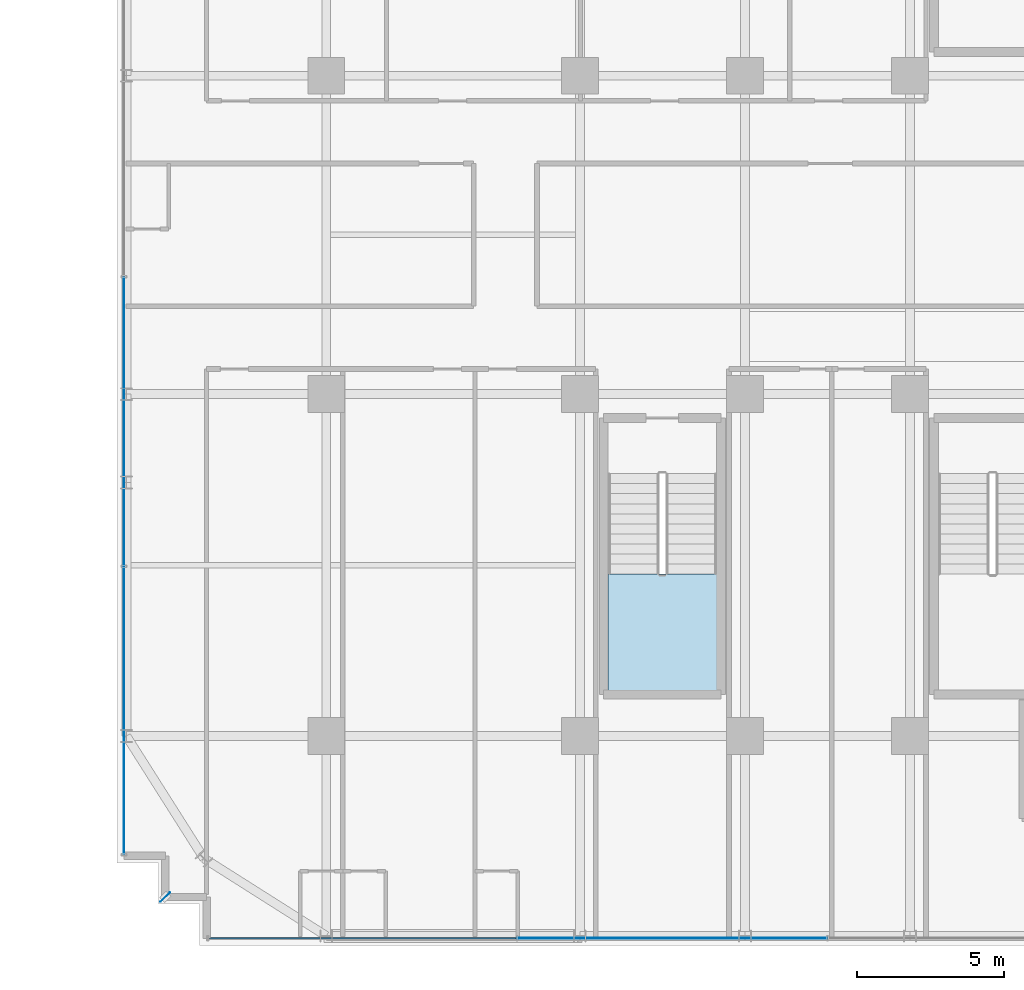
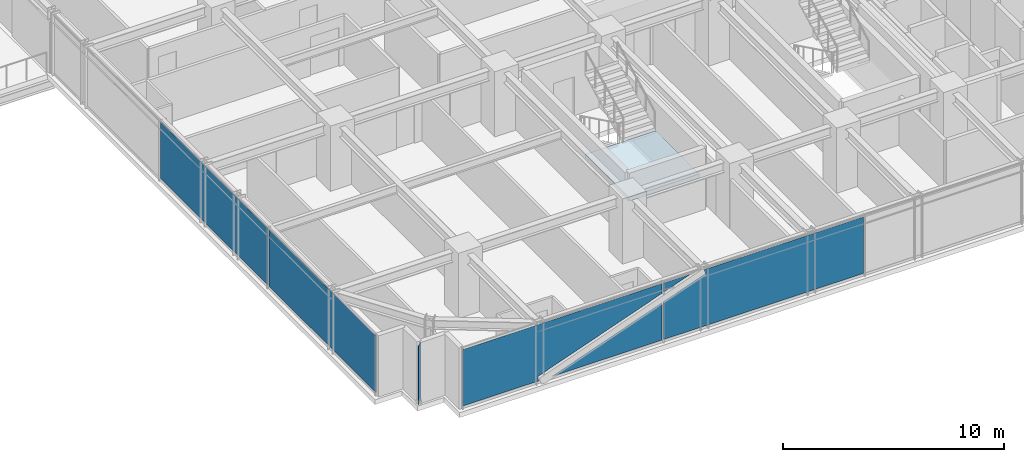
# One storey, part 26 of 39: 5 plates, 1 slab, 3 elements without a shape of their own.
"""IFC4 building model written with IfcOpenShell, lengths in metres."""

from ifc_helpers import new_model, si_unit, direction, frame, origin, origin_2d, place, context, subcontext, project, spatial, polyline, rectangle, outline, extrude, source, transform, mapped, material, layer, layer_set, type_object, element, aggregate, save


model = new_model("IFC4")

# Units and contexts
model_context = context("Model", 3, precision=1e-05, world=origin(), true_north=direction((0.0, 1.0)))
body_context = subcontext(model_context, "Body", "Model", "MODEL_VIEW")
ifc_project = project(units=[si_unit("LENGTHUNIT", "METRE"), si_unit("AREAUNIT", "SQUARE_METRE"), si_unit("VOLUMEUNIT", "CUBIC_METRE"), si_unit("PLANEANGLEUNIT", "RADIAN"), si_unit("MASSUNIT", "GRAM", prefix="KILO")], contexts=[model_context])

# Site, building, storey
site_placement = place(None, origin())
site = spatial("IfcSite", under=ifc_project, at=site_placement, CompositionType="ELEMENT")
building_placement = place(site_placement, origin())
building = spatial("IfcBuilding", under=site, at=building_placement, Name="Nahalor Promenade Grand Hotel", CompositionType="ELEMENT")
storey_placement = place(building_placement, frame((0.0, 0.0, 135.75)))
storey = spatial("IfcBuildingStorey", under=building, at=storey_placement, Name="L34", CompositionType="ELEMENT", Elevation=135.75)

# Curtain wall, plates
ifc_material_1 = material(Name="Anodised Bronze Aluminium EN AW-6063 T6", Category="aluminium")
curtain_wall_type = type_object("IfcCurtainWallType", Name="CW2 Typical Hotel Flush Bronze Unitised Curtain Wall", PredefinedType="USERDEFINED", material=ifc_material_1)
curtain_wall_1_placement = place(storey_placement, origin())
curtain_wall_1 = element("IfcCurtainWall", 1, at=curtain_wall_1_placement, inside=storey, type_object=curtain_wall_type, Name="L34 Curtain Wall CW-L34-S-1", ObjectType="UNITISED_CURTAIN_WALL", PredefinedType="USERDEFINED")
ifc_material_2 = material(Name="Low-E Laminated Solar Glass", Category="glass")
ifc_layer_1 = layer(ifc_material_2, 0.028076171875)
ifc_layer_set_1 = layer_set([ifc_layer_1], Name="Low-E Laminated Solar Glass")
plate_type_1 = type_object("IfcPlateType", Name="CWP2 Bronze Low-E Vision IGU 28mm", PredefinedType="CURTAIN_PANEL", material=ifc_layer_set_1)
plate_1_placement = place(storey_placement, frame((-15.77880859375, -23.860107421875, 0.1298828125), z_axis=(0.0, 0.0, 1.0), x_axis=(1.0, 0.0, 0.0)))
plate_1 = element("IfcPlate", 2, at=plate_1_placement, type_object=plate_type_1, Name="CW-L34-S-1 Glazing Panel 0-0", PredefinedType="CURTAIN_PANEL", context=body_context, shape_type="SweptSolid", body=[
    extrude(outline(polyline([(-5.21630859375, 3.1201171875), (-5.21630859375, 0.0), (-1.24072265625, 0.0), (-1.3291015625, 0.246826171875), (5.21630859375, 2.591064453125), (5.21630859375, 3.1201171875), (-5.21630859375, 3.1201171875)])), frame((0.0, 0.01416015625, 0.0), z_axis=(0.0, -1.0, 0.0), x_axis=(1.0, 0.0, 0.0)), (0.0, 0.0, 1.0), 0.028076171875),
    extrude(outline(polyline([(-0.53564453125, 0.0), (5.21630859375, 0.0), (5.21630859375, 2.06005859375), (-0.53564453125, 0.0)])), frame((0.0, 0.01416015625, 0.0), z_axis=(0.0, -1.0, 0.0), x_axis=(1.0, 0.0, 0.0)), (0.0, 0.0, 1.0), 0.028076171875),
])
plate_2_placement = place(storey_placement, frame((-5.264892578125, -23.860107421875, 0.1298828125), z_axis=(0.0, 0.0, 1.0), x_axis=(1.0, 0.0, 0.0)))
plate_2 = element("IfcPlate", 3, at=plate_2_placement, type_object=plate_type_1, Name="CW-L34-S-1 Glazing Panel 1-0", PredefinedType="CURTAIN_PANEL", context=body_context, shape_type="SweptSolid", body=[
    extrude(outline(polyline([(5.232421875, 0.0), (5.232421875, 3.1201171875), (-3.11572265625, 3.1201171875), (-3.027099609375, 2.873046875), (-5.232421875, 2.083251953125), (-5.232421875, 0.0), (5.232421875, 0.0)])), frame((0.0, 0.01416015625, 0.0), z_axis=(0.0, -1.0, 0.0), x_axis=(1.0, 0.0, 0.0)), (0.0, 0.0, 1.0), 0.028076171875),
    extrude(outline(polyline([(-3.820556640625, 3.1201171875), (-5.232421875, 3.1201171875), (-5.232421875, 2.6142578125), (-3.820556640625, 3.1201171875)])), frame((0.0, 0.01416015625, 0.0), z_axis=(0.0, -1.0, 0.0), x_axis=(1.0, 0.0, 0.0)), (0.0, 0.0, 1.0), 0.028076171875),
])
aggregate(curtain_wall_1, [plate_1, plate_2])

# Stair, slab
ifc_material_3 = material(Name="Concrete B-50 (C40/50)", Category="concrete")
stair_type = type_object("IfcStairType", Name="Stair-ST3", PredefinedType="HALF_TURN_STAIR", material=ifc_material_3)
stair_placement = place(storey_placement, origin())
stair = element("IfcStair", 4, at=stair_placement, inside=storey, type_object=stair_type, Name="L34 ST3", PredefinedType="HALF_TURN_STAIR")
ifc_layer_2 = layer(ifc_material_3, 0.219970703125)
ifc_layer_set_2 = layer_set([ifc_layer_2], Name="Concrete B-50 (C40/50)")
slab_type = type_object("IfcSlabType", Name="Landing-ST3", PredefinedType="LANDING", material=ifc_layer_set_2)
slab_placement = place(storey_placement, frame((0.0, 0.0, 1.60498046875)))
slab = element("IfcSlab", 5, at=slab_placement, type_object=slab_type, Name="ST3 landing 1", PredefinedType="LANDING", context=body_context, shape_type="SweptSolid", body=[
    extrude(outline(polyline([(-7.449951171875, -11.5), (-7.449951171875, -15.449951171875), (-3.75, -15.449951171875), (-3.75, -11.5), (-7.449951171875, -11.5)])), origin(), (0.0, 0.0, 1.0), 0.219970703125),
])
aggregate(stair, [slab])

# Plate
ifc_layer_3 = layer(ifc_material_1, 0.02001953125)
ifc_layer_set_3 = layer_set([ifc_layer_3], Name="Anodised Bronze Aluminium EN AW-6063 T6")
plate_type_2 = type_object("IfcPlateType", Name="Plate-CornerFin-20", PredefinedType="SHEET", material=ifc_layer_set_3)
shared_shape_1 = source(origin(), body_context, "Body", "SweptSolid", [
    extrude(rectangle(XDim=0.449951171875, YDim=0.02001953125, at=origin_2d()), origin(), (0.0, 0.0, 1.0), 3.199951171875),
])
plate_3_placement = place(storey_placement, frame((-22.4599609375, -22.4599609375, 0.0), z_axis=(0.0, 0.0, 1.0), x_axis=(0.707106781187, 0.707106781187, 0.0)))
element("IfcPlate", 6, at=plate_3_placement, inside=storey, type_object=plate_type_2, Name="FIN-L34-SW", PredefinedType="SHEET", context=body_context, shape_type="MappedRepresentation", body=[
    mapped(shared_shape_1, transform((0.0, 0.0, 0.0), scale=1.0)),
])

# Curtain wall, plates
curtain_wall_2_placement = place(storey_placement, origin())
curtain_wall_2 = element("IfcCurtainWall", 7, at=curtain_wall_2_placement, inside=storey, type_object=curtain_wall_type, Name="L34 Curtain Wall CW-L34-W-1", ObjectType="UNITISED_CURTAIN_WALL", PredefinedType="USERDEFINED")
shared_shape_2 = source(origin(), body_context, "Body", "SweptSolid", [
    extrude(rectangle(XDim=9.722412109375, YDim=0.028076171875, at=origin_2d()), origin(), (0.0, 0.0, 1.0), 3.1201171875),
])
plate_4_placement = place(storey_placement, frame((-23.860107421875, -16.1337890625, 0.1298828125), z_axis=(0.0, 0.0, 1.0), x_axis=(0.0, 1.0, 0.0)))
plate_4 = element("IfcPlate", 8, at=plate_4_placement, type_object=plate_type_1, Name="CW-L34-W-1 Glazing Panel 0-0", PredefinedType="CURTAIN_PANEL", context=body_context, shape_type="MappedRepresentation", body=[
    mapped(shared_shape_2, transform((0.0, 0.0, 0.0), scale=1.0)),
])
shared_shape_3 = source(origin(), body_context, "Body", "SweptSolid", [
    extrude(rectangle(XDim=9.7548828125, YDim=0.028076171875, at=origin_2d()), origin(), (0.0, 0.0, 1.0), 3.1201171875),
])
plate_5_placement = place(storey_placement, frame((-23.860107421875, -6.330078125, 0.1298828125), z_axis=(0.0, 0.0, 1.0), x_axis=(0.0, 1.0, 0.0)))
plate_5 = element("IfcPlate", 9, at=plate_5_placement, type_object=plate_type_1, Name="CW-L34-W-1 Glazing Panel 1-0", PredefinedType="CURTAIN_PANEL", context=body_context, shape_type="MappedRepresentation", body=[
    mapped(shared_shape_3, transform((0.0, 0.0, 0.0), scale=1.0)),
])
aggregate(curtain_wall_2, [plate_4, plate_5])

save(model, "model.ifc")
